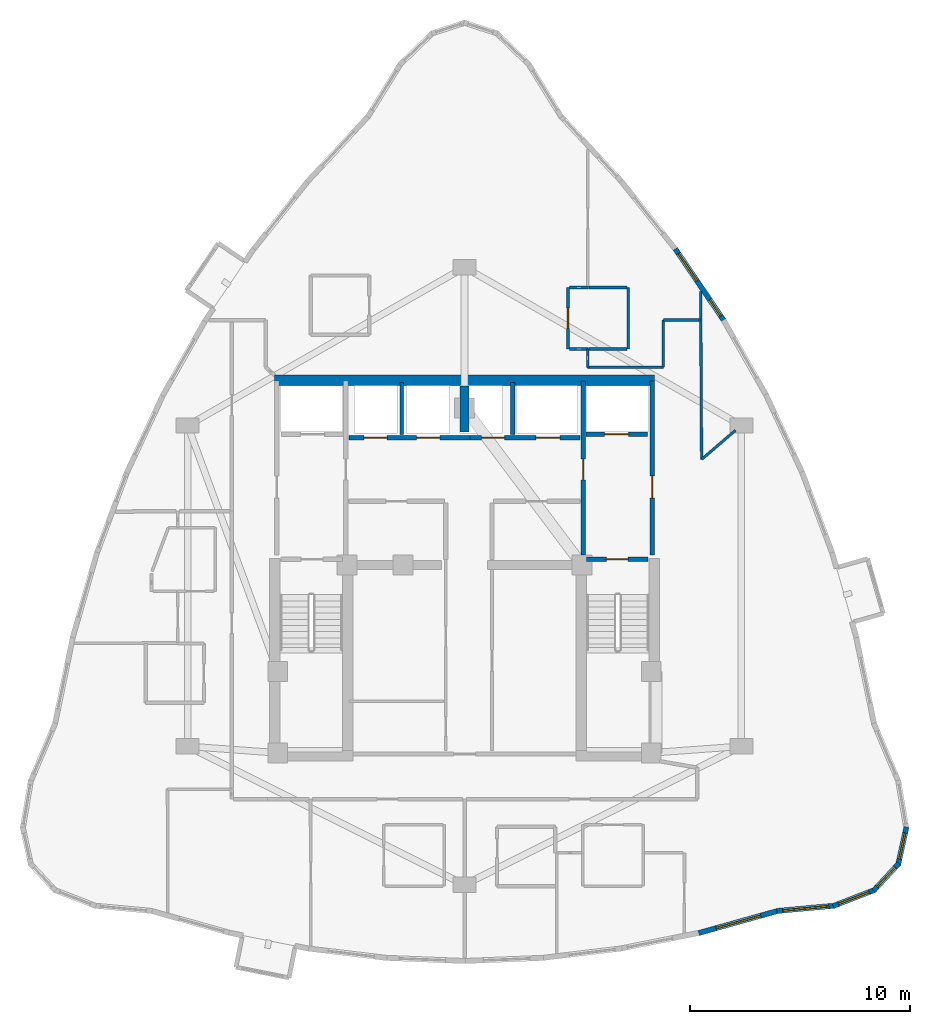
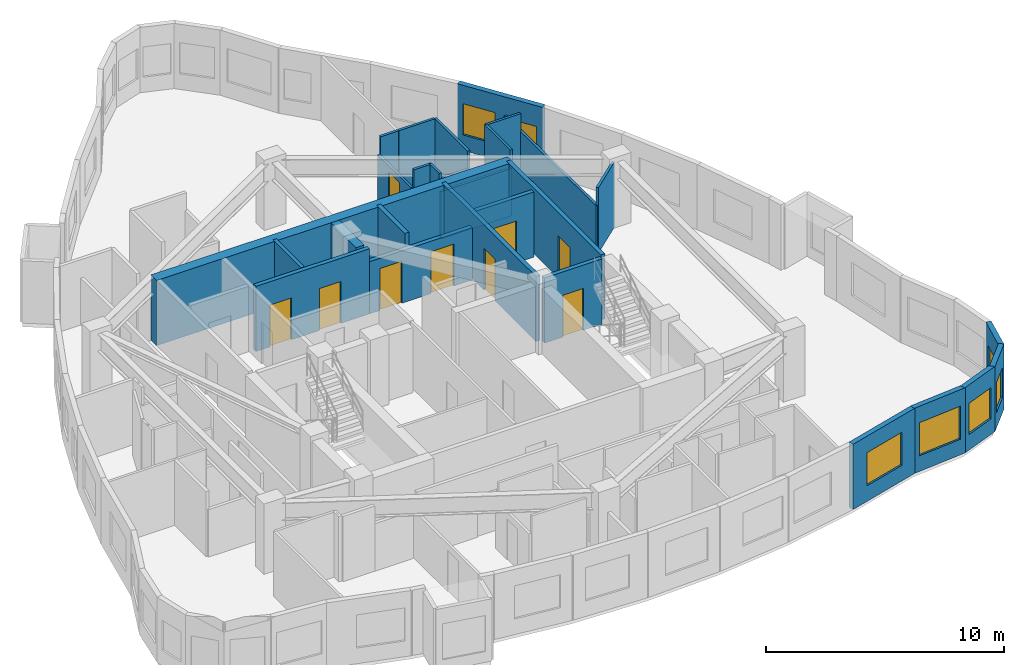
# One storey, part 10 of 13: 28 walls, 9 doors, 7 windows, 16 openings.
"""IFC4 building model written with IfcOpenShell, lengths in metres."""

from ifc_helpers import new_model, si_unit, direction, frame, frame_2d, origin, place, context, subcontext, project, spatial, rectangle, extrude, material, layer, layer_set, type_object, element, fill, save


model = new_model("IFC4")

# Units and contexts
model_context = context("Model", 3, precision=1e-05, world=origin(), true_north=direction((0.0, 1.0)))
body_context = subcontext(model_context, "Body", "Model", "MODEL_VIEW")
ifc_project = project(units=[si_unit("LENGTHUNIT", "METRE"), si_unit("AREAUNIT", "SQUARE_METRE"), si_unit("VOLUMEUNIT", "CUBIC_METRE"), si_unit("PLANEANGLEUNIT", "RADIAN"), si_unit("MASSUNIT", "GRAM", prefix="KILO")], contexts=[model_context])

# Site, building, storey
site_placement = place(None, origin())
site = spatial("IfcSite", under=ifc_project, at=site_placement, CompositionType="ELEMENT")
building_placement = place(site_placement, origin())
building = spatial("IfcBuilding", under=site, at=building_placement, Name="Miruveldt Soraemaru", CompositionType="ELEMENT")
storey_placement = place(building_placement, frame((0.0, 0.0, 205.199951171875)))
storey = spatial("IfcBuildingStorey", under=building, at=storey_placement, Name="L56", CompositionType="ELEMENT", Elevation=205.199951171875)

# Walls
ifc_material_1 = material(Name="Concrete C70/85 (70 MPa)", Category="concrete")
ifc_layer_1 = layer(ifc_material_1, 0.5, Name="Concrete C70/85 (70 MPa)", Category="concrete")
ifc_layer_set_1 = layer_set([ifc_layer_1], Name="Concrete C70/85 (70 MPa)")
wall_type_1 = type_object("IfcWallType", Name="WALL-BW-500", PredefinedType="SHEAR", material=ifc_layer_set_1)
wall_1_placement = place(storey_placement, frame((44.0, 50.10009765625, 0.0), z_axis=(0.0, 0.0, 1.0), x_axis=(0.0, 1.0, 0.0)))
element("IfcWall", 1, at=wall_1_placement, inside=storey, type_object=wall_type_1, Name="L56 Core Buttress Shear Wall BN", PredefinedType="SHEAR", context=body_context, shape_type="SweptSolid", body=[
    extrude(rectangle(XDim=2.099853515625, YDim=0.39990234375, at=frame_2d((1.0498046875, 0.0))), origin(), (0.0, 0.0, 1.0), 3.344970703125),
])
ifc_material_2 = material(Name="Concrete C60/75 (60 MPa)", Category="concrete")
ifc_layer_2 = layer(ifc_material_2, 0.47998046875, Name="Concrete C60/75 (60 MPa)", Category="concrete")
ifc_layer_set_2 = layer_set([ifc_layer_2], Name="Concrete C60/75 (60 MPa)")
wall_type_2 = type_object("IfcWallType", Name="WALL-CW-480", PredefinedType="SHEAR", material=ifc_layer_set_2)
wall_2_placement = place(storey_placement, frame((35.35009765625, 52.449951171875, 0.0), z_axis=(0.0, 0.0, 1.0), x_axis=(1.0, 0.0, 0.0)))
element("IfcWall", 2, at=wall_2_placement, inside=storey, type_object=wall_type_2, Name="L56 Central Core Shear Wall N", PredefinedType="SHEAR", context=body_context, shape_type="SweptSolid", body=[
    extrude(rectangle(XDim=17.2998046875, YDim=0.47998046875, at=frame_2d((8.64990234375, 0.0))), origin(), (0.0, 0.0, 1.0), 3.344970703125),
])

# Wall, opening, window
ifc_material_3 = material(Name="Precast concrete C45/55 (45 MPa)", Category="concrete")
ifc_layer_3 = layer(ifc_material_3, 0.239990234375, Name="Precast concrete C45/55 (45 MPa)", Category="concrete")
ifc_layer_set_3 = layer_set([ifc_layer_3], Name="Precast concrete C45/55 (45 MPa)")
wall_type_3 = type_object("IfcWallType", Name="WALL-EXT-PC240", PredefinedType="SOLIDWALL", material=ifc_layer_set_3)
wall_3_placement = place(storey_placement, frame((54.654052734375, 27.297119140625, 0.0), z_axis=(0.0, 0.0, 1.0), x_axis=(0.962964692372, 0.26962752316, 0.0)))
wall_3 = element("IfcWall", 3, at=wall_3_placement, inside=storey, type_object=wall_type_3, Name="L56 Precast Concrete Facade Wall 28", PredefinedType="SOLIDWALL", context=body_context, shape_type="SweptSolid", body=[
    extrude(rectangle(XDim=3.76953125, YDim=0.239990234375, at=frame_2d((1.884765625, 0.0))), origin(), (0.0, 0.0, 1.0), 3.344970703125),
])
opening_1_placement = place(wall_3_placement, frame((0.8349609375, 0.0, 0.800048828125)))
opening_1 = element("IfcOpeningElement", 4, at=opening_1_placement, cuts=wall_3, Name="Opening WN-1", PredefinedType="OPENING", context=body_context, shape_type="SweptSolid", body=[
    extrude(rectangle(XDim=2.10009765625, YDim=1.699951171875, at=frame_2d((1.050048828125, 0.85009765625))), frame((0.0, 0.1298828125, 0.0), z_axis=(0.0, -1.0, 0.0), x_axis=(1.0, 0.0, 0.0)), (0.0, 0.0, 1.0), 0.260009765625),
])
ifc_material_4 = material(Name="Triple low-e insulated glazing", Category="glass")
window_type_1 = type_object("IfcWindowType", Name="WIN-PUNCH-2100x1700", PartitioningType="SINGLE_PANEL", PredefinedType="WINDOW", material=ifc_material_4)
window_1_placement = place(opening_1_placement, origin())
window_1 = element("IfcWindow", 5, at=window_1_placement, inside=storey, type_object=window_type_1, Name="L56 Punched Triple-Glazed Window 28.1", OverallHeight=1.699951171875, OverallWidth=2.10009765625, PartitioningType="SINGLE_PANEL", PredefinedType="WINDOW", context=body_context, shape_type="SweptSolid", body=[
    extrude(rectangle(XDim=2.10009765625, YDim=1.699951171875, at=frame_2d((1.050048828125, 0.85009765625))), frame((0.0, 0.030029296875, 0.0), z_axis=(0.0, -1.0, 0.0), x_axis=(1.0, 0.0, 0.0)), (0.0, 0.0, 1.0), 0.06005859375),
])
fill(opening_1, window_1)

wall_4_placement = place(storey_placement, frame((58.21533203125, 28.30078125, 0.0), z_axis=(0.0, 0.0, 1.0), x_axis=(0.995760434539, 0.091984547654, 0.0)))
wall_4 = element("IfcWall", 6, at=wall_4_placement, inside=storey, type_object=wall_type_3, Name="L56 Precast Concrete Facade Wall 29", PredefinedType="SOLIDWALL", context=body_context, shape_type="SweptSolid", body=[
    extrude(rectangle(XDim=2.6435546875, YDim=0.239990234375, at=frame_2d((1.32177734375, 0.0))), origin(), (0.0, 0.0, 1.0), 3.344970703125),
])
opening_2_placement = place(wall_4_placement, frame((0.27197265625, 0.0, 0.800048828125)))
opening_2 = element("IfcOpeningElement", 7, at=opening_2_placement, cuts=wall_4, Name="Opening WN-1", PredefinedType="OPENING", context=body_context, shape_type="SweptSolid", body=[
    extrude(rectangle(XDim=2.10009765625, YDim=1.699951171875, at=frame_2d((1.050048828125, 0.85009765625))), frame((0.0, 0.1298828125, 0.0), z_axis=(0.0, -1.0, 0.0), x_axis=(1.0, 0.0, 0.0)), (0.0, 0.0, 1.0), 0.260009765625),
])
window_2_placement = place(opening_2_placement, origin())
window_2 = element("IfcWindow", 8, at=window_2_placement, inside=storey, type_object=window_type_1, Name="L56 Punched Triple-Glazed Window 29.1", OverallHeight=1.699951171875, OverallWidth=2.10009765625, PartitioningType="SINGLE_PANEL", PredefinedType="WINDOW", context=body_context, shape_type="SweptSolid", body=[
    extrude(rectangle(XDim=2.10009765625, YDim=1.699951171875, at=frame_2d((1.050048828125, 0.85009765625))), frame((0.0, 0.030029296875, 0.0), z_axis=(0.0, -1.0, 0.0), x_axis=(1.0, 0.0, 0.0)), (0.0, 0.0, 1.0), 0.06005859375),
])
fill(opening_2, window_2)

wall_5_placement = place(storey_placement, frame((60.7802734375, 28.528076171875, 0.0), z_axis=(0.0, 0.0, 1.0), x_axis=(0.932261326856, 0.361785597349, 0.0)))
wall_5 = element("IfcWall", 9, at=wall_5_placement, inside=storey, type_object=wall_type_3, Name="L56 Precast Concrete Facade Wall 30", PredefinedType="SOLIDWALL", context=body_context, shape_type="SweptSolid", body=[
    extrude(rectangle(XDim=2.033203125, YDim=0.239990234375, at=frame_2d((1.0166015625, 0.0))), origin(), (0.0, 0.0, 1.0), 3.344970703125),
])
opening_3_placement = place(wall_5_placement, frame((0.26611328125, 0.0, 0.800048828125)))
opening_3 = element("IfcOpeningElement", 10, at=opening_3_placement, cuts=wall_5, Name="Opening WN-3", PredefinedType="OPENING", context=body_context, shape_type="SweptSolid", body=[
    extrude(rectangle(XDim=1.5, YDim=1.60009765625, at=frame_2d((0.75, 0.800048828125))), frame((0.0, 0.1298828125, 0.0), z_axis=(0.0, -1.0, 0.0), x_axis=(1.0, 0.0, 0.0)), (0.0, 0.0, 1.0), 0.260009765625),
])
window_type_2 = type_object("IfcWindowType", Name="WIN-PUNCH-1500x1600", PartitioningType="SINGLE_PANEL", PredefinedType="WINDOW", material=ifc_material_4)
window_3_placement = place(opening_3_placement, origin())
window_3 = element("IfcWindow", 11, at=window_3_placement, inside=storey, type_object=window_type_2, Name="L56 Punched Triple-Glazed Window 30.1", OverallHeight=1.60009765625, OverallWidth=1.5, PartitioningType="SINGLE_PANEL", PredefinedType="WINDOW", context=body_context, shape_type="SweptSolid", body=[
    extrude(rectangle(XDim=1.5, YDim=1.60009765625, at=frame_2d((0.75, 0.800048828125))), frame((0.0, 0.030029296875, 0.0), z_axis=(0.0, -1.0, 0.0), x_axis=(1.0, 0.0, 0.0)), (0.0, 0.0, 1.0), 0.06005859375),
])
fill(opening_3, window_3)

wall_6_placement = place(storey_placement, frame((62.619384765625, 29.22509765625, 0.0), z_axis=(0.0, 0.0, 1.0), x_axis=(0.680167597327, 0.733056641431, 0.0)))
wall_6 = element("IfcWall", 12, at=wall_6_placement, inside=storey, type_object=wall_type_3, Name="L56 Precast Concrete Facade Wall 31", PredefinedType="SOLIDWALL", context=body_context, shape_type="SweptSolid", body=[
    extrude(rectangle(XDim=1.684814453125, YDim=0.239990234375, at=frame_2d((0.84228515625, 0.0))), origin(), (0.0, 0.0, 1.0), 3.344970703125),
])
opening_4_placement = place(wall_6_placement, frame((0.241943359375, 0.0, 0.780029296875)))
opening_4 = element("IfcOpeningElement", 13, at=opening_4_placement, cuts=wall_6, Name="Opening WN-4", PredefinedType="OPENING", context=body_context, shape_type="SweptSolid", body=[
    extrude(rectangle(XDim=1.199951171875, YDim=1.550048828125, at=frame_2d((0.60009765625, 0.77490234375))), frame((0.0, 0.1298828125, 0.0), z_axis=(0.0, -1.0, 0.0), x_axis=(1.0, 0.0, 0.0)), (0.0, 0.0, 1.0), 0.260009765625),
])
window_type_3 = type_object("IfcWindowType", Name="WIN-PUNCH-1200x1550", PartitioningType="SINGLE_PANEL", PredefinedType="WINDOW", material=ifc_material_4)
window_4_placement = place(opening_4_placement, origin())
window_4 = element("IfcWindow", 14, at=window_4_placement, inside=storey, type_object=window_type_3, Name="L56 Punched Triple-Glazed Window 31.1", OverallHeight=1.550048828125, OverallWidth=1.199951171875, PartitioningType="SINGLE_PANEL", PredefinedType="WINDOW", context=body_context, shape_type="SweptSolid", body=[
    extrude(rectangle(XDim=1.199951171875, YDim=1.550048828125, at=frame_2d((0.60009765625, 0.77490234375))), frame((0.0, 0.030029296875, 0.0), z_axis=(0.0, -1.0, 0.0), x_axis=(1.0, 0.0, 0.0)), (0.0, 0.0, 1.0), 0.06005859375),
])
fill(opening_4, window_4)

wall_7_placement = place(storey_placement, frame((63.73388671875, 30.400390625, 0.0), z_axis=(0.0, 0.0, 1.0), x_axis=(0.215818470806, 0.976433503962, 0.0)))
wall_7 = element("IfcWall", 15, at=wall_7_placement, inside=storey, type_object=wall_type_3, Name="L56 Precast Concrete Facade Wall 32", PredefinedType="SOLIDWALL", context=body_context, shape_type="SweptSolid", body=[
    extrude(rectangle(XDim=1.76708984375, YDim=0.239990234375, at=frame_2d((0.883544921875, 0.0))), origin(), (0.0, 0.0, 1.0), 3.344970703125),
])
opening_5_placement = place(wall_7_placement, frame((0.282958984375, 0.0, 0.780029296875)))
opening_5 = element("IfcOpeningElement", 16, at=opening_5_placement, cuts=wall_7, Name="Opening WN-4", PredefinedType="OPENING", context=body_context, shape_type="SweptSolid", body=[
    extrude(rectangle(XDim=1.199951171875, YDim=1.550048828125, at=frame_2d((0.60009765625, 0.77490234375))), frame((0.0, 0.1298828125, 0.0), z_axis=(0.0, -1.0, 0.0), x_axis=(1.0, 0.0, 0.0)), (0.0, 0.0, 1.0), 0.260009765625),
])
window_5_placement = place(opening_5_placement, origin())
window_5 = element("IfcWindow", 17, at=window_5_placement, inside=storey, type_object=window_type_3, Name="L56 Punched Triple-Glazed Window 32.1", OverallHeight=1.550048828125, OverallWidth=1.199951171875, PartitioningType="SINGLE_PANEL", PredefinedType="WINDOW", context=body_context, shape_type="SweptSolid", body=[
    extrude(rectangle(XDim=1.199951171875, YDim=1.550048828125, at=frame_2d((0.60009765625, 0.77490234375))), frame((0.0, 0.030029296875, 0.0), z_axis=(0.0, -1.0, 0.0), x_axis=(1.0, 0.0, 0.0)), (0.0, 0.0, 1.0), 0.06005859375),
])
fill(opening_5, window_5)

# Wall, openings, windows
wall_8_placement = place(storey_placement, frame((55.829833984375, 55.143310546875, 0.0), z_axis=(0.0, 0.0, 1.0), x_axis=(-0.56084814517, 0.827918690488, 0.0)))
wall_8 = element("IfcWall", 18, at=wall_8_placement, inside=storey, type_object=wall_type_3, Name="L56 Precast Concrete Facade Wall 40", PredefinedType="SOLIDWALL", context=body_context, shape_type="SweptSolid", body=[
    extrude(rectangle(XDim=3.985595703125, YDim=0.239990234375, at=frame_2d((1.99267578125, 0.0))), origin(), (0.0, 0.0, 1.0), 3.344970703125),
])
opening_6_placement = place(wall_8_placement, frame((0.297119140625, 0.0, 0.780029296875)))
opening_6 = element("IfcOpeningElement", 19, at=opening_6_placement, cuts=wall_8, Name="Opening WN-7", PredefinedType="OPENING", context=body_context, shape_type="SweptSolid", body=[
    extrude(rectangle(XDim=0.89990234375, YDim=1.5, at=frame_2d((0.449951171875, 0.75))), frame((0.0, 0.1298828125, 0.0), z_axis=(0.0, -1.0, 0.0), x_axis=(1.0, 0.0, 0.0)), (0.0, 0.0, 1.0), 0.260009765625),
])
opening_7_placement = place(wall_8_placement, frame((2.22998046875, 0.0, 0.800048828125)))
opening_7 = element("IfcOpeningElement", 20, at=opening_7_placement, cuts=wall_8, Name="Opening WN-3", PredefinedType="OPENING", context=body_context, shape_type="SweptSolid", body=[
    extrude(rectangle(XDim=1.5, YDim=1.60009765625, at=frame_2d((0.75, 0.800048828125))), frame((0.0, 0.1298828125, 0.0), z_axis=(0.0, -1.0, 0.0), x_axis=(1.0, 0.0, 0.0)), (0.0, 0.0, 1.0), 0.260009765625),
])
window_6_placement = place(opening_7_placement, origin())
window_6 = element("IfcWindow", 21, at=window_6_placement, inside=storey, type_object=window_type_2, Name="L56 Punched Triple-Glazed Window 40.2", OverallHeight=1.60009765625, OverallWidth=1.5, PartitioningType="SINGLE_PANEL", PredefinedType="WINDOW", context=body_context, shape_type="SweptSolid", body=[
    extrude(rectangle(XDim=1.5, YDim=1.60009765625, at=frame_2d((0.75, 0.800048828125))), frame((0.0, 0.030029296875, 0.0), z_axis=(0.0, -1.0, 0.0), x_axis=(1.0, 0.0, 0.0)), (0.0, 0.0, 1.0), 0.06005859375),
])
fill(opening_7, window_6)
window_type_4 = type_object("IfcWindowType", Name="WIN-PUNCH-900x1500", PartitioningType="SINGLE_PANEL", PredefinedType="WINDOW", material=ifc_material_4)
window_7_placement = place(opening_6_placement, origin())
window_7 = element("IfcWindow", 22, at=window_7_placement, inside=storey, type_object=window_type_4, Name="L56 Punched Triple-Glazed Window 40.1", OverallHeight=1.5, OverallWidth=0.89990234375, PartitioningType="SINGLE_PANEL", PredefinedType="WINDOW", context=body_context, shape_type="SweptSolid", body=[
    extrude(rectangle(XDim=0.89990234375, YDim=1.5, at=frame_2d((0.449951171875, 0.75))), frame((0.0, 0.030029296875, 0.0), z_axis=(0.0, -1.0, 0.0), x_axis=(1.0, 0.0, 0.0)), (0.0, 0.0, 1.0), 0.06005859375),
])
fill(opening_6, window_7)

# Wall, opening, door
ifc_material_5 = material(Name="Gypsum plasterboard lining", Category="gypsum")
ifc_layer_4 = layer(ifc_material_5, 0.1201171875, Name="Gypsum plasterboard lining", Category="gypsum")
ifc_layer_set_4 = layer_set([ifc_layer_4], Name="Gypsum plasterboard lining")
wall_type_4 = type_object("IfcWallType", Name="WALL-INT-P120", PredefinedType="PARTITIONING", material=ifc_layer_set_4)
wall_9_placement = place(storey_placement, frame((48.70703125, 56.679931640625, 0.0), z_axis=(0.0, 0.0, 1.0), x_axis=(0.0, -1.0, 0.0)))
wall_9 = element("IfcWall", 23, at=wall_9_placement, inside=storey, type_object=wall_type_4, Name="L56 Partition Wall 17", PredefinedType="PARTITIONING", context=body_context, shape_type="SweptSolid", body=[
    extrude(rectangle(XDim=2.800048828125, YDim=0.1201171875, at=frame_2d((1.39990234375, 0.0))), origin(), (0.0, 0.0, 1.0), 2.43310546875),
])
opening_8_placement = place(wall_9_placement, frame((0.93994140625, 0.0, 0.0)))
opening_8 = element("IfcOpeningElement", 24, at=opening_8_placement, cuts=wall_9, Name="Opening D3A", PredefinedType="OPENING", context=body_context, shape_type="SweptSolid", body=[
    extrude(rectangle(XDim=0.919921875, YDim=2.10009765625, at=frame_2d((0.4599609375, 1.050048828125))), frame((0.0, 0.070068359375, 0.0), z_axis=(0.0, -1.0, 0.0), x_axis=(1.0, 0.0, 0.0)), (0.0, 0.0, 1.0), 0.14013671875),
])
ifc_material_6 = material(Name="Anodised aluminium EN AW-6063 T6", Category="aluminium")
door_type_1 = type_object("IfcDoorType", Name="DOOR-INT-920", OperationType="NOTDEFINED", PredefinedType="DOOR", material=ifc_material_6)
door_1_placement = place(opening_8_placement, origin())
door_1 = element("IfcDoor", 25, at=door_1_placement, inside=storey, type_object=door_type_1, Name="L56 Unit 5601 KIT Door", OperationType="SINGLE_SWING_LEFT", OverallHeight=2.10009765625, OverallWidth=0.919921875, PredefinedType="DOOR", context=body_context, shape_type="SweptSolid", body=[
    extrude(rectangle(XDim=0.919921875, YDim=2.10009765625, at=frame_2d((0.4599609375, 1.050048828125))), frame((0.0, 0.02490234375, 0.0), z_axis=(0.0, -1.0, 0.0), x_axis=(1.0, 0.0, 0.0)), (0.0, 0.0, 1.0), 0.050048828125),
])
fill(opening_8, door_1)

# Walls
wall_10_placement = place(storey_placement, frame((54.7451171875, 56.50390625, 0.0), z_axis=(0.0, 0.0, 1.0), x_axis=(0.005875864585, -0.999982736959, 0.0)))
element("IfcWall", 26, at=wall_10_placement, inside=storey, type_object=wall_type_4, Name="L56 Partition Wall 56", PredefinedType="PARTITIONING", context=body_context, shape_type="SweptSolid", body=[
    extrude(rectangle(XDim=7.645263671875, YDim=0.1201171875, at=frame_2d((3.82275390625, 0.0))), origin(), (0.0, 0.0, 1.0), 2.43310546875),
])
wall_11_placement = place(storey_placement, frame((53.047119140625, 53.050048828125, 0.0), z_axis=(0.0, 0.0, 1.0), x_axis=(-1.0, 0.0, 0.0)))
element("IfcWall", 27, at=wall_11_placement, inside=storey, type_object=wall_type_4, Name="L56 Partition Wall 59", PredefinedType="PARTITIONING", context=body_context, shape_type="SweptSolid", body=[
    extrude(rectangle(XDim=3.444091796875, YDim=0.1201171875, at=frame_2d((1.72216796875, 0.0))), origin(), (0.0, 0.0, 1.0), 2.43310546875),
])
wall_12_placement = place(storey_placement, frame((51.45703125, 53.8798828125, 0.0), z_axis=(0.0, 0.0, 1.0), x_axis=(0.0, 1.0, 0.0)))
element("IfcWall", 28, at=wall_12_placement, inside=storey, type_object=wall_type_4, Name="L56 Partition Wall 24", PredefinedType="PARTITIONING", context=body_context, shape_type="SweptSolid", body=[
    extrude(rectangle(XDim=2.800048828125, YDim=0.1201171875, at=frame_2d((1.39990234375, 0.0))), origin(), (0.0, 0.0, 1.0), 3.344970703125),
])
wall_13_placement = place(storey_placement, frame((53.050048828125, 55.199951171875, 0.0), z_axis=(0.0, 0.0, 1.0), x_axis=(0.0, -1.0, 0.0)))
element("IfcWall", 29, at=wall_13_placement, inside=storey, type_object=wall_type_4, Name="L56 Partition Wall 58", PredefinedType="PARTITIONING", context=body_context, shape_type="SweptSolid", body=[
    extrude(rectangle(XDim=2.14697265625, YDim=0.1201171875, at=frame_2d((1.073486328125, 0.0))), origin(), (0.0, 0.0, 1.0), 3.344970703125),
])
wall_14_placement = place(storey_placement, frame((54.7900390625, 48.85888671875, 0.0), z_axis=(0.0, 0.0, 1.0), x_axis=(0.759333107801, 0.650702106495, 0.0)))
element("IfcWall", 30, at=wall_14_placement, inside=storey, type_object=wall_type_4, Name="L56 Partition Closure Return 3", PredefinedType="PARTITIONING", context=body_context, shape_type="SweptSolid", body=[
    extrude(rectangle(XDim=2.027099609375, YDim=0.1201171875, at=frame_2d((1.013671875, 0.0))), origin(), (0.0, 0.0, 1.0), 3.344970703125),
])
wall_15_placement = place(storey_placement, frame((49.6630859375, 53.8798828125, 0.0), z_axis=(0.0, 0.0, 1.0), x_axis=(1.0, 0.0, 0.0)))
element("IfcWall", 31, at=wall_15_placement, inside=storey, type_object=wall_type_4, Name="L56 Partition Wall 23", PredefinedType="PARTITIONING", context=body_context, shape_type="SweptSolid", body=[
    extrude(rectangle(XDim=1.73388671875, YDim=0.1201171875, at=frame_2d((0.866943359375, 0.0))), origin(), (0.0, 0.0, 1.0), 2.43310546875),
])
wall_16_placement = place(storey_placement, frame((51.39697265625, 56.679931640625, 0.0), z_axis=(0.0, 0.0, 1.0), x_axis=(-1.0, 0.0, 0.0)))
element("IfcWall", 32, at=wall_16_placement, inside=storey, type_object=wall_type_4, Name="L56 Partition Wall 25", PredefinedType="PARTITIONING", context=body_context, shape_type="SweptSolid", body=[
    extrude(rectangle(XDim=1.73388671875, YDim=0.1201171875, at=frame_2d((0.866943359375, 0.0))), origin(), (0.0, 0.0, 1.0), 3.344970703125),
])
wall_17_placement = place(storey_placement, frame((54.707763671875, 55.199951171875, 0.0), z_axis=(0.0, 0.0, 1.0), x_axis=(-1.0, 0.0, 0.0)))
element("IfcWall", 33, at=wall_17_placement, inside=storey, type_object=wall_type_4, Name="L56 Partition Wall 57", PredefinedType="PARTITIONING", context=body_context, shape_type="SweptSolid", body=[
    extrude(rectangle(XDim=1.65771484375, YDim=0.1201171875, at=frame_2d((0.828857421875, 0.0))), origin(), (0.0, 0.0, 1.0), 3.344970703125),
])
for number, where, z_axis, x_axis, name in (
    (34, (49.633056640625, 56.679931640625, 0.0), (0.0, 0.0, 1.0), (-1.0, 0.0, 0.0), "L56 Partition Wall 16"),
    (35, (48.76708984375, 53.8798828125, 0.0), (0.0, 0.0, 1.0), (1.0, 0.0, 0.0), "L56 Partition Wall 18"),
):
    element("IfcWall", number, at=place(storey_placement, frame(where, z_axis=z_axis, x_axis=x_axis)), inside=storey, type_object=wall_type_4, Name=name, PredefinedType="PARTITIONING", context=body_context, shape_type="SweptSolid", body=[
        extrude(rectangle(XDim=0.865966796875, YDim=0.1201171875, at=frame_2d((0.43310546875, 0.0))), origin(), (0.0, 0.0, 1.0), 3.344970703125),
    ])
wall_18_placement = place(storey_placement, frame((49.60302734375, 53.050048828125, 0.0), z_axis=(0.0, 0.0, 1.0), x_axis=(0.0, 1.0, 0.0)))
element("IfcWall", 36, at=wall_18_placement, inside=storey, type_object=wall_type_4, Name="L56 Partition Wall 19", PredefinedType="PARTITIONING", context=body_context, shape_type="SweptSolid", body=[
    extrude(rectangle(XDim=0.829833984375, YDim=0.1201171875, at=frame_2d((0.4150390625, 0.0))), origin(), (0.0, 0.0, 1.0), 3.344970703125),
])
ifc_material_7 = material(Name="Concrete C40/50 (40 MPa)", Category="concrete")
ifc_layer_5 = layer(ifc_material_7, 0.159912109375, Name="Concrete C40/50 (40 MPa)", Category="concrete")
ifc_layer_set_5 = layer_set([ifc_layer_5], Name="Concrete C40/50 (40 MPa)")
wall_type_5 = type_object("IfcWallType", Name="WALL-INT-RC160", PredefinedType="SOLIDWALL", material=ifc_layer_set_5)
wall_19_placement = place(storey_placement, frame((41.14990234375, 49.97998046875, 0.0), z_axis=(0.0, 0.0, 1.0), x_axis=(0.0, 1.0, 0.0)))
element("IfcWall", 37, at=wall_19_placement, inside=storey, type_object=wall_type_5, Name="L56 Core Compartment Wall PLH-DIV1", PredefinedType="SOLIDWALL", context=body_context, shape_type="SweptSolid", body=[
    extrude(rectangle(XDim=2.3701171875, YDim=0.159912109375, at=frame_2d((1.18505859375, 0.0))), origin(), (0.0, 0.0, 1.0), 3.344970703125),
])

# Wall, opening, door
ifc_layer_6 = layer(ifc_material_7, 0.199951171875, Name="Concrete C40/50 (40 MPa)", Category="concrete")
ifc_layer_set_6 = layer_set([ifc_layer_6], Name="Concrete C40/50 (40 MPa)")
wall_type_6 = type_object("IfcWallType", Name="WALL-INT-RC200", PredefinedType="SOLIDWALL", material=ifc_layer_set_6)
wall_20_placement = place(storey_placement, frame((52.550048828125, 44.5, 0.0), z_axis=(0.0, 0.0, 1.0), x_axis=(0.0, 1.0, 0.0)))
wall_20 = element("IfcWall", 38, at=wall_20_placement, inside=storey, type_object=wall_type_6, Name="L56 Core Compartment Wall FFE-OUT", PredefinedType="SOLIDWALL", context=body_context, shape_type="SweptSolid", body=[
    extrude(rectangle(XDim=7.919921875, YDim=0.199951171875, at=frame_2d((3.9599609375, 0.0))), origin(), (0.0, 0.0, 1.0), 3.344970703125),
])
opening_9_placement = place(wall_20_placement, frame((2.60009765625, 0.0, 0.0)))
opening_9 = element("IfcOpeningElement", 39, at=opening_9_placement, cuts=wall_20, Name="Opening FD1", PredefinedType="OPENING", context=body_context, shape_type="SweptSolid", body=[
    extrude(rectangle(XDim=1.0, YDim=2.14990234375, at=frame_2d((0.5, 1.074951171875))), frame((0.0, 0.10986328125, 0.0), z_axis=(0.0, -1.0, 0.0), x_axis=(1.0, 0.0, 0.0)), (0.0, 0.0, 1.0), 0.219970703125),
])
door_type_2 = type_object("IfcDoorType", Name="DOOR-FD1-1000", OperationType="NOTDEFINED", PredefinedType="DOOR", material=ifc_material_6)
door_2_placement = place(opening_9_placement, frame((1.0, 0.0, 0.0), z_axis=(0.0, 0.0, 1.0), x_axis=(-1.0, 0.0, 0.0)))
door_2 = element("IfcDoor", 40, at=door_2_placement, inside=storey, type_object=door_type_2, Name="L56 East Firefighting Lobby Exit Door", OperationType="SINGLE_SWING_RIGHT", OverallHeight=2.14990234375, OverallWidth=1.0, PredefinedType="DOOR", context=body_context, shape_type="SweptSolid", body=[
    extrude(rectangle(XDim=1.0, YDim=2.14990234375, at=frame_2d((0.5, 1.074951171875))), frame((0.0, 0.02490234375, 0.0), z_axis=(0.0, -1.0, 0.0), x_axis=(1.0, 0.0, 0.0)), (0.0, 0.0, 1.0), 0.050048828125),
])
fill(opening_9, door_2)

wall_21_placement = place(storey_placement, frame((49.39990234375, 44.5, 0.0), z_axis=(0.0, 0.0, 1.0), x_axis=(0.0, 1.0, 0.0)))
wall_21 = element("IfcWall", 41, at=wall_21_placement, inside=storey, type_object=wall_type_6, Name="L56 Core Compartment Wall FFE-IN", PredefinedType="SOLIDWALL", context=body_context, shape_type="SweptSolid", body=[
    extrude(rectangle(XDim=7.919921875, YDim=0.199951171875, at=frame_2d((3.9599609375, 0.0))), origin(), (0.0, 0.0, 1.0), 3.344970703125),
])
opening_10_placement = place(wall_21_placement, frame((3.425048828125, 0.0, 0.0)))
opening_10 = element("IfcOpeningElement", 42, at=opening_10_placement, cuts=wall_21, Name="Opening FD2", PredefinedType="OPENING", context=body_context, shape_type="SweptSolid", body=[
    extrude(rectangle(XDim=0.949951171875, YDim=2.14990234375, at=frame_2d((0.47509765625, 1.074951171875))), frame((0.0, 0.10986328125, 0.0), z_axis=(0.0, -1.0, 0.0), x_axis=(1.0, 0.0, 0.0)), (0.0, 0.0, 1.0), 0.219970703125),
])
door_type_3 = type_object("IfcDoorType", Name="DOOR-FD2-950", OperationType="NOTDEFINED", PredefinedType="DOOR", material=ifc_material_6)
door_3_placement = place(opening_10_placement, origin())
door_3 = element("IfcDoor", 43, at=door_3_placement, inside=storey, type_object=door_type_3, Name="L56 Lift Lobby to East Fire Lobby Door", OperationType="SINGLE_SWING_LEFT", OverallHeight=2.14990234375, OverallWidth=0.949951171875, PredefinedType="DOOR", context=body_context, shape_type="SweptSolid", body=[
    extrude(rectangle(XDim=0.949951171875, YDim=2.14990234375, at=frame_2d((0.47509765625, 1.074951171875))), frame((0.0, 0.02490234375, 0.0), z_axis=(0.0, -1.0, 0.0), x_axis=(1.0, 0.0, 0.0)), (0.0, 0.0, 1.0), 0.050048828125),
])
fill(opening_10, door_3)

# Wall, openings, doors
wall_22_placement = place(storey_placement, frame((38.75, 49.85009765625, 0.0), z_axis=(0.0, 0.0, 1.0), x_axis=(1.0, 0.0, 0.0)))
wall_22 = element("IfcWall", 44, at=wall_22_placement, inside=storey, type_object=wall_type_6, Name="L56 Core Compartment Wall ROWA-SW", PredefinedType="SOLIDWALL", context=body_context, shape_type="SweptSolid", body=[
    extrude(rectangle(XDim=5.5, YDim=0.199951171875, at=frame_2d((2.75, 0.0))), origin(), (0.0, 0.0, 1.0), 3.344970703125),
])
opening_11_placement = place(wall_22_placement, frame((0.675048828125, 0.0, 0.0)))
opening_11 = element("IfcOpeningElement", 45, at=opening_11_placement, cuts=wall_22, Name="Opening LD1", PredefinedType="OPENING", context=body_context, shape_type="SweptSolid", body=[
    extrude(rectangle(XDim=1.050048828125, YDim=2.14990234375, at=frame_2d((0.52490234375, 1.074951171875))), frame((0.0, 0.10986328125, 0.0), z_axis=(0.0, -1.0, 0.0), x_axis=(1.0, 0.0, 0.0)), (0.0, 0.0, 1.0), 0.219970703125),
])
opening_12_placement = place(wall_22_placement, frame((3.074951171875, 0.0, 0.0)))
opening_12 = element("IfcOpeningElement", 46, at=opening_12_placement, cuts=wall_22, Name="Opening LD1", PredefinedType="OPENING", context=body_context, shape_type="SweptSolid", body=[
    extrude(rectangle(XDim=1.050048828125, YDim=2.14990234375, at=frame_2d((0.52490234375, 1.074951171875))), frame((0.0, 0.10986328125, 0.0), z_axis=(0.0, -1.0, 0.0), x_axis=(1.0, 0.0, 0.0)), (0.0, 0.0, 1.0), 0.219970703125),
])
door_type_4 = type_object("IfcDoorType", Name="DOOR-LD1-1050", OperationType="SLIDING_TO_LEFT", PredefinedType="DOOR", material=ifc_material_6)
door_4_placement = place(opening_11_placement, origin())
door_4 = element("IfcDoor", 47, at=door_4_placement, inside=storey, type_object=door_type_4, Name="L56 PL-H1 Landing Door", OperationType="SLIDING_TO_LEFT", OverallHeight=2.14990234375, OverallWidth=1.050048828125, PredefinedType="DOOR", context=body_context, shape_type="SweptSolid", body=[
    extrude(rectangle(XDim=1.050048828125, YDim=2.14990234375, at=frame_2d((0.52490234375, 1.074951171875))), frame((0.0, 0.02490234375, 0.0), z_axis=(0.0, -1.0, 0.0), x_axis=(1.0, 0.0, 0.0)), (0.0, 0.0, 1.0), 0.050048828125),
])
fill(opening_11, door_4)
door_5_placement = place(opening_12_placement, origin())
door_5 = element("IfcDoor", 48, at=door_5_placement, inside=storey, type_object=door_type_4, Name="L56 PL-H2 Landing Door", OperationType="SLIDING_TO_LEFT", OverallHeight=2.14990234375, OverallWidth=1.050048828125, PredefinedType="DOOR", context=body_context, shape_type="SweptSolid", body=[
    extrude(rectangle(XDim=1.050048828125, YDim=2.14990234375, at=frame_2d((0.52490234375, 1.074951171875))), frame((0.0, 0.02490234375, 0.0), z_axis=(0.0, -1.0, 0.0), x_axis=(1.0, 0.0, 0.0)), (0.0, 0.0, 1.0), 0.050048828125),
])
fill(opening_12, door_5)

wall_23_placement = place(storey_placement, frame((44.25, 49.85009765625, 0.0), z_axis=(0.0, 0.0, 1.0), x_axis=(1.0, 0.0, 0.0)))
wall_23 = element("IfcWall", 49, at=wall_23_placement, inside=storey, type_object=wall_type_6, Name="L56 Core Compartment Wall ROWA-SE", PredefinedType="SOLIDWALL", context=body_context, shape_type="SweptSolid", body=[
    extrude(rectangle(XDim=5.0, YDim=0.199951171875, at=frame_2d((2.5, 0.0))), origin(), (0.0, 0.0, 1.0), 2.68310546875),
])
opening_13_placement = place(wall_23_placement, frame((0.52490234375, 0.0, 0.0)))
opening_13 = element("IfcOpeningElement", 50, at=opening_13_placement, cuts=wall_23, Name="Opening LD1", PredefinedType="OPENING", context=body_context, shape_type="SweptSolid", body=[
    extrude(rectangle(XDim=1.050048828125, YDim=2.14990234375, at=frame_2d((0.52490234375, 1.074951171875))), frame((0.0, 0.10986328125, 0.0), z_axis=(0.0, -1.0, 0.0), x_axis=(1.0, 0.0, 0.0)), (0.0, 0.0, 1.0), 0.219970703125),
])
opening_14_placement = place(wall_23_placement, frame((3.0, 0.0, 0.0)))
opening_14 = element("IfcOpeningElement", 51, at=opening_14_placement, cuts=wall_23, Name="Opening LD2", PredefinedType="OPENING", context=body_context, shape_type="SweptSolid", body=[
    extrude(rectangle(XDim=1.10009765625, YDim=2.14990234375, at=frame_2d((0.550048828125, 1.074951171875))), frame((0.0, 0.10986328125, 0.0), z_axis=(0.0, -1.0, 0.0), x_axis=(1.0, 0.0, 0.0)), (0.0, 0.0, 1.0), 0.219970703125),
])
door_6_placement = place(opening_13_placement, origin())
door_6 = element("IfcDoor", 52, at=door_6_placement, inside=storey, type_object=door_type_4, Name="L56 PL-H3 Landing Door", OperationType="SLIDING_TO_LEFT", OverallHeight=2.14990234375, OverallWidth=1.050048828125, PredefinedType="DOOR", context=body_context, shape_type="SweptSolid", body=[
    extrude(rectangle(XDim=1.050048828125, YDim=2.14990234375, at=frame_2d((0.52490234375, 1.074951171875))), frame((0.0, 0.02490234375, 0.0), z_axis=(0.0, -1.0, 0.0), x_axis=(1.0, 0.0, 0.0)), (0.0, 0.0, 1.0), 0.050048828125),
])
fill(opening_13, door_6)
door_type_5 = type_object("IfcDoorType", Name="DOOR-LD2-1100", OperationType="SLIDING_TO_LEFT", PredefinedType="DOOR", material=ifc_material_6)
door_7_placement = place(opening_14_placement, origin())
door_7 = element("IfcDoor", 53, at=door_7_placement, inside=storey, type_object=door_type_5, Name="L56 SL-1 Landing Door", OperationType="SLIDING_TO_LEFT", OverallHeight=2.14990234375, OverallWidth=1.10009765625, PredefinedType="DOOR", context=body_context, shape_type="SweptSolid", body=[
    extrude(rectangle(XDim=1.10009765625, YDim=2.14990234375, at=frame_2d((0.550048828125, 1.074951171875))), frame((0.0, 0.02490234375, 0.0), z_axis=(0.0, -1.0, 0.0), x_axis=(1.0, 0.0, 0.0)), (0.0, 0.0, 1.0), 0.050048828125),
])
fill(opening_14, door_7)

# Wall, opening, door
wall_24_placement = place(storey_placement, frame((49.550048828125, 44.320068359375, 0.0), z_axis=(0.0, 0.0, 1.0), x_axis=(1.0, 0.0, 0.0)))
wall_24 = element("IfcWall", 54, at=wall_24_placement, inside=storey, type_object=wall_type_6, Name="L56 Core Compartment Wall ST2-N", PredefinedType="SOLIDWALL", context=body_context, shape_type="SweptSolid", body=[
    extrude(rectangle(XDim=2.800048828125, YDim=0.199951171875, at=frame_2d((1.39990234375, 0.0))), origin(), (0.0, 0.0, 1.0), 3.344970703125),
])
opening_15_placement = place(wall_24_placement, frame((0.89990234375, 0.0, 0.0)))
opening_15 = element("IfcOpeningElement", 55, at=opening_15_placement, cuts=wall_24, Name="Opening FD1", PredefinedType="OPENING", context=body_context, shape_type="SweptSolid", body=[
    extrude(rectangle(XDim=1.0, YDim=2.14990234375, at=frame_2d((0.5, 1.074951171875))), frame((0.0, 0.10986328125, 0.0), z_axis=(0.0, -1.0, 0.0), x_axis=(1.0, 0.0, 0.0)), (0.0, 0.0, 1.0), 0.219970703125),
])
door_8_placement = place(opening_15_placement, frame((1.0, 0.0, 0.0), z_axis=(0.0, 0.0, 1.0), x_axis=(-1.0, 0.0, 0.0)))
door_8 = element("IfcDoor", 56, at=door_8_placement, inside=storey, type_object=door_type_2, Name="L56 Stair ST-2 Fire Door", OperationType="SINGLE_SWING_RIGHT", OverallHeight=2.14990234375, OverallWidth=1.0, PredefinedType="DOOR", context=body_context, shape_type="SweptSolid", body=[
    extrude(rectangle(XDim=1.0, YDim=2.14990234375, at=frame_2d((0.5, 1.074951171875))), frame((0.0, 0.02490234375, 0.0), z_axis=(0.0, -1.0, 0.0), x_axis=(1.0, 0.0, 0.0)), (0.0, 0.0, 1.0), 0.050048828125),
])
fill(opening_15, door_8)

wall_25_placement = place(storey_placement, frame((49.52001953125, 50.0, 0.0), z_axis=(0.0, 0.0, 1.0), x_axis=(1.0, 0.0, 0.0)))
wall_25 = element("IfcWall", 57, at=wall_25_placement, inside=storey, type_object=wall_type_6, Name="L56 Core Compartment Wall FFL2-S", PredefinedType="SOLIDWALL", context=body_context, shape_type="SweptSolid", body=[
    extrude(rectangle(XDim=2.800048828125, YDim=0.199951171875, at=frame_2d((1.39990234375, 0.0))), origin(), (0.0, 0.0, 1.0), 3.344970703125),
])
opening_16_placement = place(wall_25_placement, frame((0.85009765625, 0.0, 0.0)))
opening_16 = element("IfcOpeningElement", 58, at=opening_16_placement, cuts=wall_25, Name="Opening LD2", PredefinedType="OPENING", context=body_context, shape_type="SweptSolid", body=[
    extrude(rectangle(XDim=1.10009765625, YDim=2.14990234375, at=frame_2d((0.550048828125, 1.074951171875))), frame((0.0, 0.10986328125, 0.0), z_axis=(0.0, -1.0, 0.0), x_axis=(1.0, 0.0, 0.0)), (0.0, 0.0, 1.0), 0.219970703125),
])
door_9_placement = place(opening_16_placement, origin())
door_9 = element("IfcDoor", 59, at=door_9_placement, inside=storey, type_object=door_type_5, Name="L56 FFL-2 Landing Door", OperationType="SLIDING_TO_LEFT", OverallHeight=2.14990234375, OverallWidth=1.10009765625, PredefinedType="DOOR", context=body_context, shape_type="SweptSolid", body=[
    extrude(rectangle(XDim=1.10009765625, YDim=2.14990234375, at=frame_2d((0.550048828125, 1.074951171875))), frame((0.0, 0.02490234375, 0.0), z_axis=(0.0, -1.0, 0.0), x_axis=(1.0, 0.0, 0.0)), (0.0, 0.0, 1.0), 0.050048828125),
])
fill(opening_16, door_9)

# Wall
wall_26_placement = place(storey_placement, frame((46.199951171875, 49.97998046875, 0.0), z_axis=(0.0, 0.0, 1.0), x_axis=(0.0, 1.0, 0.0)))
element("IfcWall", 60, at=wall_26_placement, inside=storey, type_object=wall_type_6, Name="L56 Core Compartment Wall PLH-SL-DIV", PredefinedType="SOLIDWALL", context=body_context, shape_type="SweptSolid", body=[
    extrude(rectangle(XDim=2.3701171875, YDim=0.199951171875, at=frame_2d((1.18505859375, 0.0))), origin(), (0.0, 0.0, 1.0), 3.344970703125),
])

save(model, "model.ifc")
